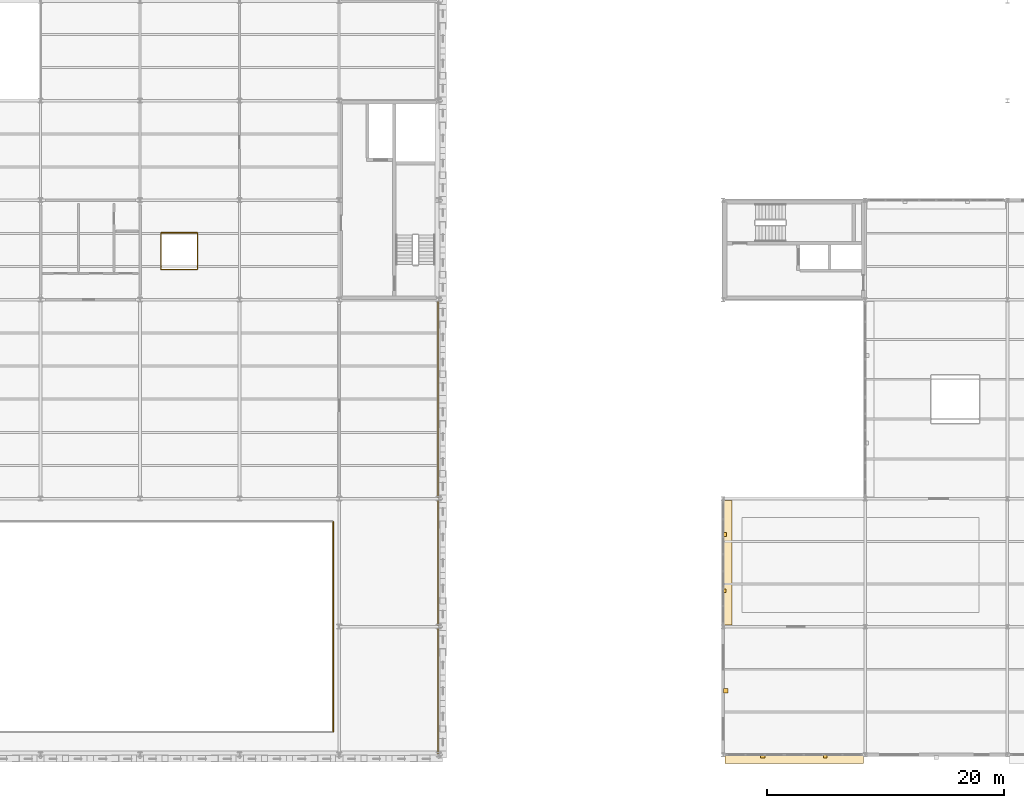
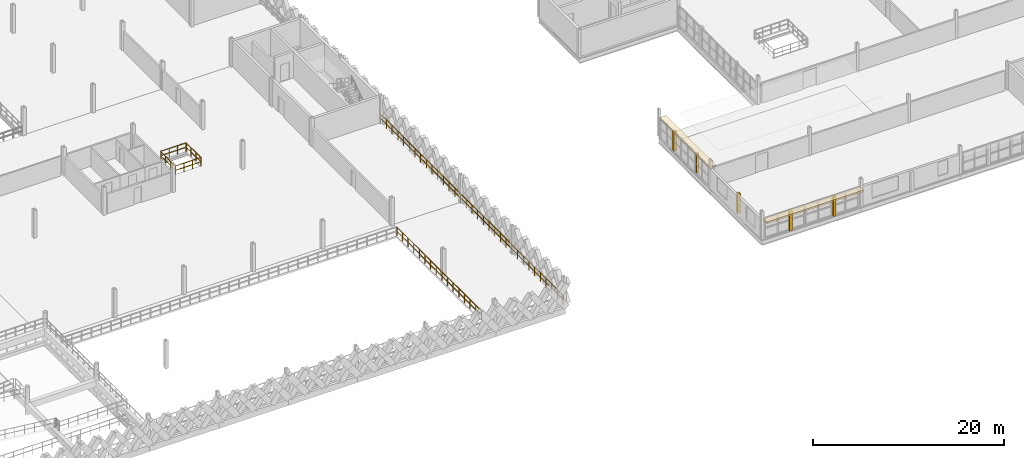
# One storey, part 72 of 79: 6 railings, 5 shading devices, 2 coverings.
"""IFC4 building model written with IfcOpenShell, lengths in metres."""

import ifcopenshell
import ifcopenshell.guid

model = None  # the IFC model being written
_history = None  # IfcOwnerHistory: only IFC2X3 demands one
_inside = {}  # id of a spatial element -> (the spatial element, [elements in it])
_under = {}  # id of a project, library or spatial element -> (it, [spatial elements below it])
_declared = {}  # id of a project -> (the project, [libraries it declares])
_typed = {}  # id of a type object -> (the type object, [elements of that type])
_made_of = {}  # id of a material, layer set ... -> (it, [elements and type objects made of it])


def new_model(schema):
    """Start an empty IFC model of exactly this schema.

    Asked for "IFC4X3", IfcOpenShell would pick the latest addendum, in which some entities
    have other attributes; the version numbers below select the first issue.
    IFC2X3 requires an IfcOwnerHistory on every rooted entity: one is made here for all.
    """
    global model, _history
    if schema == "IFC4X3":
        model = ifcopenshell.file(schema_version=(4, 3, 0, 0))
    else:
        model = ifcopenshell.file(schema=schema)
    _inside.clear()
    _under.clear()
    _declared.clear()
    _typed.clear()
    _made_of.clear()
    _history = None
    if model.schema == "IFC2X3":
        org = make("IfcOrganization", Name="unknown")
        user = make(
            "IfcPersonAndOrganization",
            ThePerson=make("IfcPerson", FamilyName="unknown"),
            TheOrganization=org,
        )
        app = make(
            "IfcApplication",
            ApplicationDeveloper=org,
            Version="unknown",
            ApplicationFullName="unknown",
            ApplicationIdentifier="unknown",
        )
        _history = make(
            "IfcOwnerHistory",
            OwningUser=user,
            OwningApplication=app,
            ChangeAction="ADDED",
            CreationDate=0,
        )
    return model


def make(cls, **values):
    """One entity of the class cls with the attributes given. An attribute that is None is left unset."""
    return model.create_entity(
        cls, **{name: value for name, value in values.items() if value is not None}
    )


def rooted(cls, **values):
    """An entity with a GlobalId (a new one), such as an element, a storey or a relation."""
    return make(cls, GlobalId=ifcopenshell.guid.new(), OwnerHistory=_history, **values)


def si_unit(unit_type, name, prefix=None):
    """IfcSIUnit, for example si_unit("LENGTHUNIT", "METRE", prefix="MILLI")."""
    return make("IfcSIUnit", UnitType=unit_type, Prefix=prefix, Name=name)


def assignment(units):
    """IfcUnitAssignment: the units of a project."""
    return None if units is None else make("IfcUnitAssignment", Units=units)


def point(xyz):
    """IfcCartesianPoint."""
    return None if xyz is None else make("IfcCartesianPoint", Coordinates=xyz)


def direction(xyz):
    """IfcDirection."""
    return None if xyz is None else make("IfcDirection", DirectionRatios=xyz)


def frame(location, z_axis=None, x_axis=None):
    """IfcAxis2Placement3D, a coordinate frame: its origin and axes. An axis left out is left unset."""
    return make(
        "IfcAxis2Placement3D",
        Location=point(location),
        Axis=direction(z_axis),
        RefDirection=direction(x_axis),
    )


def frame_2d(location, x_axis=None):
    """IfcAxis2Placement2D, a coordinate frame in the plane: its origin and x axis."""
    return make(
        "IfcAxis2Placement2D", Location=point(location), RefDirection=direction(x_axis)
    )


def origin():
    """The frame at (0, 0, 0) with its axes left unset."""
    return frame((0.0, 0.0, 0.0))


def origin_2d():
    """The frame at (0, 0) in the plane with its x axis left unset."""
    return frame_2d((0.0, 0.0))


def place(relative_to, where):
    """IfcLocalPlacement: puts the frame where relative to a parent placement (None: the world)."""
    return make(
        "IfcLocalPlacement", PlacementRelTo=relative_to, RelativePlacement=where
    )


def context(
    kind, dimensions, precision=None, world=None, true_north=None, identifier=None
):
    """IfcGeometricRepresentationContext, for example the 3D "Model" context."""
    return make(
        "IfcGeometricRepresentationContext",
        ContextIdentifier=identifier,
        ContextType=kind,
        CoordinateSpaceDimension=dimensions,
        Precision=precision,
        WorldCoordinateSystem=world,
        TrueNorth=true_north,
    )


def subcontext(parent, identifier, kind, view, scale=None):
    """IfcGeometricRepresentationSubContext, for example "Body" below "Model"."""
    return make(
        "IfcGeometricRepresentationSubContext",
        ContextIdentifier=identifier,
        ContextType=kind,
        ParentContext=parent,
        TargetScale=scale,
        TargetView=view,
    )


def project(units=None, contexts=None):
    """IfcProject with its units and contexts."""
    return rooted(
        "IfcProject",
        Name="project",
        RepresentationContexts=contexts,
        UnitsInContext=assignment(units),
    )


def spatial(cls, under=None, at=None, **own):
    """A site, building, storey or space (cls), placed at a placement, below another one or the project."""
    s = rooted(cls, ObjectPlacement=at, **own)
    if under is not None:
        _under.setdefault(under.id(), (under, []))[1].append(s)
    return s


def profile(cls, at=None, kind="AREA", **sizes):
    """A parametric profile (cls). Its sizes go by their IFC names, for example OverallWidth=200.0."""
    return make(cls, ProfileType=kind, Position=at, **sizes)


def rectangle(**sizes):
    """IfcRectangleProfileDef."""
    return profile("IfcRectangleProfileDef", **sizes)


def circle(**sizes):
    """IfcCircleProfileDef."""
    return profile("IfcCircleProfileDef", **sizes)


def extrude(swept, where, along, depth):
    """IfcExtrudedAreaSolid: the profile swept, set in the frame where, extruded along a direction by depth."""
    return make(
        "IfcExtrudedAreaSolid",
        SweptArea=swept,
        Position=where,
        ExtrudedDirection=direction(along),
        Depth=depth,
    )


def shape(context_of_items, identifier, shape_type, items):
    """IfcShapeRepresentation: the items that make up one representation, for example the "Body"."""
    return make(
        "IfcShapeRepresentation",
        ContextOfItems=context_of_items,
        RepresentationIdentifier=identifier,
        RepresentationType=shape_type,
        Items=items,
    )


def material(Name=None, Category=None):
    """IfcMaterial."""
    return make("IfcMaterial", Name=Name, Category=Category)


def layer(
    of_material, thickness, ventilated=None, Name=None, Category=None, Priority=None
):
    """IfcMaterialLayer: one layer of a wall or slab, of a material (None: an air gap)."""
    return make(
        "IfcMaterialLayer",
        Material=of_material,
        LayerThickness=thickness,
        IsVentilated=ventilated,
        Name=Name,
        Category=Category,
        Priority=Priority,
    )


def layer_set(layers, Name=None):
    """IfcMaterialLayerSet."""
    return make("IfcMaterialLayerSet", MaterialLayers=layers, LayerSetName=Name)


def material_profile(
    of_material, cross_section, Name=None, Category=None, Priority=None
):
    """IfcMaterialProfile: a cross section and its material."""
    return make(
        "IfcMaterialProfile",
        Name=Name,
        Material=of_material,
        Profile=cross_section,
        Priority=Priority,
        Category=Category,
    )


def profile_set(profiles, Name=None, composite=None):
    """IfcMaterialProfileSet."""
    return make(
        "IfcMaterialProfileSet",
        Name=Name,
        MaterialProfiles=profiles,
        CompositeProfile=composite,
    )


def made_of(thing, what):
    """Note that an element or type object is made of a material, layer set ...; save() writes the relation."""
    if what is not None:
        _made_of.setdefault(what.id(), (what, []))[1].append(thing)
    return thing


def type_object(cls, material=None, **own):
    """A type object (cls), such as IfcWallType, which elements share."""
    return made_of(rooted(cls, **own), material)


def element(
    cls,
    number,
    at=None,
    inside=None,
    cuts=None,
    type_object=None,
    material=None,
    context=None,
    identifier="Body",
    shape_type=None,
    held_by="IfcProductDefinitionShape",
    body=None,
    shapes=None,
    **own,
):
    """One element of the class cls, such as IfcWall. Its Tag is "e" and its number.

    at: its placement. inside: the storey or other place that contains it. cuts: it is an
    opening in that element (IfcRelVoidsElement). A single representation is given by context,
    identifier, shape_type and body (its items); several are given by shapes. held_by: the class
    of the entity that holds the representations. save() writes the other relations.
    """
    e = rooted(cls, Tag="e%d" % number, ObjectPlacement=at, **own)
    if body is not None:
        shapes = [shape(context, identifier, shape_type, body)]
    if shapes is not None:
        e.Representation = make(held_by, Representations=shapes)
    if inside is not None:
        _inside.setdefault(inside.id(), (inside, []))[1].append(e)
    if cuts is not None:
        rooted(
            "IfcRelVoidsElement", RelatingBuildingElement=cuts, RelatedOpeningElement=e
        )
    if type_object is not None:
        _typed.setdefault(type_object.id(), (type_object, []))[1].append(e)
    return made_of(e, material)


def aggregate(whole, parts):
    """IfcRelAggregates: a whole, such as a stair, and the parts it consists of."""
    return rooted("IfcRelAggregates", RelatingObject=whole, RelatedObjects=parts)


def save(model, path):
    """Write the relations noted so far, then the file.

    IfcRelAggregates (storeys below a building ...), IfcRelContainedInSpatialStructure (elements
    in a storey), IfcRelDefinesByType, IfcRelAssociatesMaterial and IfcRelDeclares: one each for
    every whole, place, type object, material and project.
    """
    for whole, parts in _under.values():
        aggregate(whole, parts)
    for where, things in _inside.values():
        rooted(
            "IfcRelContainedInSpatialStructure",
            RelatedElements=things,
            RelatingStructure=where,
        )
    for kind, things in _typed.values():
        rooted("IfcRelDefinesByType", RelatedObjects=things, RelatingType=kind)
    for what, things in _made_of.values():
        rooted("IfcRelAssociatesMaterial", RelatedObjects=things, RelatingMaterial=what)
    for by, libraries in _declared.values():
        rooted("IfcRelDeclares", RelatingContext=by, RelatedDefinitions=libraries)
    model.write(path)


model = new_model("IFC4")

# Units and contexts
model_context = context("Model", 3, precision=1e-05, world=origin(), true_north=direction((0.0, 1.0)))
body_context = subcontext(model_context, "Body", "Model", "MODEL_VIEW")
ifc_project = project(units=[si_unit("LENGTHUNIT", "METRE"), si_unit("AREAUNIT", "SQUARE_METRE"), si_unit("VOLUMEUNIT", "CUBIC_METRE"), si_unit("PLANEANGLEUNIT", "RADIAN"), si_unit("MASSUNIT", "GRAM", prefix="KILO"), si_unit("THERMODYNAMICTEMPERATUREUNIT", "KELVIN"), si_unit("POWERUNIT", "WATT")], contexts=[model_context])

# Site, building, storey
site_placement = place(None, origin())
site = spatial("IfcSite", under=ifc_project, at=site_placement, CompositionType="ELEMENT")
building_placement = place(site_placement, origin())
building = spatial("IfcBuilding", under=site, at=building_placement, Name="Tembeka Court Mobility Hub", CompositionType="ELEMENT")
storey_placement = place(building_placement, frame((0.0, 0.0, 9.0)))
storey = spatial("IfcBuildingStorey", under=building, at=storey_placement, Name="L02", CompositionType="ELEMENT", Elevation=9.0)

# Coverings
ifc_material_1 = material(Name="Dressed ochre Nairobi volcanic-tuff cladding", Category="masonry")
ifc_layer = layer(ifc_material_1, 0.0400390625)
ifc_layer_set = layer_set([ifc_layer], Name="Dressed ochre Nairobi volcanic-tuff cladding")
covering_type = type_object("IfcCoveringType", Name="COV-CD01", PredefinedType="CLADDING", material=ifc_layer_set)
covering_1_placement = place(storey_placement, frame((122.39990234375, -0.360107421875, 2.30517578125), z_axis=(0.0, 0.0, 1.0), x_axis=(1.0, 0.0, 0.0)))
element("IfcCovering", 1, at=covering_1_placement, inside=storey, type_object=covering_type, Name="Projecting volcanic-tuff solar hood CVD1-H015", PredefinedType="CLADDING", context=body_context, shape_type="SweptSolid", body=[
    extrude(rectangle(XDim=11.699951171875, YDim=0.800048828125, at=origin_2d()), origin(), (0.0, 0.0, 1.0), 0.219970703125),
])
covering_2_placement = place(storey_placement, frame((116.760009765625, 16.199951171875, 2.30517578125), z_axis=(0.0, 0.0, 1.0), x_axis=(0.0, 1.0, 0.0)))
element("IfcCovering", 2, at=covering_2_placement, inside=storey, type_object=covering_type, Name="Projecting volcanic-tuff solar hood CVD1-H024", PredefinedType="CLADDING", context=body_context, shape_type="SweptSolid", body=[
    extrude(rectangle(XDim=10.5, YDim=0.800048828125, at=origin_2d()), origin(), (0.0, 0.0, 1.0), 0.219970703125),
])

# Railings
ifc_material_2 = material(Name="Painted galvanised steel balustrade", Category="steel")
railing_type_1 = type_object("IfcRailingType", Name="RL-GR01", PredefinedType="GUARDRAIL", material=ifc_material_2)
railing_1_placement = place(storey_placement, frame((68.97998046875, 40.949951171875, 0.0)))
element("IfcRailing", 3, at=railing_1_placement, inside=storey, type_object=railing_type_1, Name="Perimeter guard GR01-0079", PredefinedType="GUARDRAIL", context=body_context, shape_type="SweptSolid", body=[
    extrude(circle(Radius=0.02392578125, at=origin_2d()), frame((0.0, 0.0, 1.09619140625), z_axis=(1.0, 0.0, 0.0), x_axis=(0.0, 1.0, 0.0)), (0.0, 0.0, 1.0), 3.0400390625),
    extrude(circle(Radius=0.02392578125, at=origin_2d()), frame((0.0, 0.0, 0.5361328125), z_axis=(1.0, 0.0, 0.0), x_axis=(0.0, 1.0, 0.0)), (0.0, 0.0, 1.0), 3.0400390625),
    extrude(circle(Radius=0.02099609375, at=origin_2d()), origin(), (0.0, 0.0, 1.0), 1.072021484375),
    extrude(circle(Radius=0.02099609375, at=origin_2d()), frame((1.013427734375, 0.0, 0.0)), (0.0, 0.0, 1.0), 1.072021484375),
    extrude(circle(Radius=0.02099609375, at=origin_2d()), frame((2.026611328125, 0.0, 0.0)), (0.0, 0.0, 1.0), 1.072021484375),
    extrude(circle(Radius=0.02099609375, at=origin_2d()), frame((3.0400390625, 0.0, 0.0)), (0.0, 0.0, 1.0), 1.072021484375),
])
railing_2_placement = place(storey_placement, frame((72.050048828125, 40.97998046875, 0.0)))
element("IfcRailing", 4, at=railing_2_placement, inside=storey, type_object=railing_type_1, Name="Perimeter guard GR01-0080", PredefinedType="GUARDRAIL", context=body_context, shape_type="SweptSolid", body=[
    extrude(circle(Radius=0.02392578125, at=origin_2d()), frame((0.0, 0.0, 1.09619140625), z_axis=(0.0, 1.0, 0.0), x_axis=(-1.0, 0.0, 0.0)), (0.0, 0.0, 1.0), 3.0400390625),
    extrude(circle(Radius=0.02392578125, at=origin_2d()), frame((0.0, 0.0, 0.5361328125), z_axis=(0.0, 1.0, 0.0), x_axis=(-1.0, 0.0, 0.0)), (0.0, 0.0, 1.0), 3.0400390625),
    extrude(circle(Radius=0.02099609375, at=origin_2d()), origin(), (0.0, 0.0, 1.0), 1.072021484375),
    extrude(circle(Radius=0.02099609375, at=origin_2d()), frame((0.0, 1.013427734375, 0.0)), (0.0, 0.0, 1.0), 1.072021484375),
    extrude(circle(Radius=0.02099609375, at=origin_2d()), frame((0.0, 2.026611328125, 0.0)), (0.0, 0.0, 1.0), 1.072021484375),
    extrude(circle(Radius=0.02099609375, at=origin_2d()), frame((0.0, 3.0400390625, 0.0)), (0.0, 0.0, 1.0), 1.072021484375),
])
railing_3_placement = place(storey_placement, frame((72.02001953125, 44.050048828125, 0.0)))
element("IfcRailing", 5, at=railing_3_placement, inside=storey, type_object=railing_type_1, Name="Perimeter guard GR01-0081", PredefinedType="GUARDRAIL", context=body_context, shape_type="SweptSolid", body=[
    extrude(circle(Radius=0.02392578125, at=origin_2d()), frame((0.0, 0.0, 1.09619140625), z_axis=(-1.0, 0.0, 0.0), x_axis=(0.0, -1.0, 0.0)), (0.0, 0.0, 1.0), 3.0400390625),
    extrude(circle(Radius=0.02392578125, at=origin_2d()), frame((0.0, 0.0, 0.5361328125), z_axis=(-1.0, 0.0, 0.0), x_axis=(0.0, -1.0, 0.0)), (0.0, 0.0, 1.0), 3.0400390625),
    extrude(circle(Radius=0.02099609375, at=origin_2d()), origin(), (0.0, 0.0, 1.0), 1.072021484375),
    extrude(circle(Radius=0.02099609375, at=origin_2d()), frame((-1.013427734375, 0.0, 0.0)), (0.0, 0.0, 1.0), 1.072021484375),
    extrude(circle(Radius=0.02099609375, at=origin_2d()), frame((-2.026611328125, 0.0, 0.0)), (0.0, 0.0, 1.0), 1.072021484375),
    extrude(circle(Radius=0.02099609375, at=origin_2d()), frame((-3.0400390625, 0.0, 0.0)), (0.0, 0.0, 1.0), 1.072021484375),
])
railing_4_placement = place(storey_placement, frame((68.949951171875, 44.02001953125, 0.0)))
element("IfcRailing", 6, at=railing_4_placement, inside=storey, type_object=railing_type_1, Name="Perimeter guard GR01-0082", PredefinedType="GUARDRAIL", context=body_context, shape_type="SweptSolid", body=[
    extrude(circle(Radius=0.02392578125, at=origin_2d()), frame((0.0, 0.0, 1.09619140625), z_axis=(0.0, -1.0, 0.0), x_axis=(1.0, 0.0, 0.0)), (0.0, 0.0, 1.0), 3.0400390625),
    extrude(circle(Radius=0.02392578125, at=origin_2d()), frame((0.0, 0.0, 0.5361328125), z_axis=(0.0, -1.0, 0.0), x_axis=(1.0, 0.0, 0.0)), (0.0, 0.0, 1.0), 3.0400390625),
    extrude(circle(Radius=0.02099609375, at=origin_2d()), origin(), (0.0, 0.0, 1.0), 1.072021484375),
    extrude(circle(Radius=0.02099609375, at=origin_2d()), frame((0.0, -1.013427734375, 0.0)), (0.0, 0.0, 1.0), 1.072021484375),
    extrude(circle(Radius=0.02099609375, at=origin_2d()), frame((0.0, -2.026611328125, 0.0)), (0.0, 0.0, 1.0), 1.072021484375),
    extrude(circle(Radius=0.02099609375, at=origin_2d()), frame((0.0, -3.0400390625, 0.0)), (0.0, 0.0, 1.0), 1.072021484375),
])
railing_5_placement = place(storey_placement, frame((83.5, 1.929931640625, 0.0)))
element("IfcRailing", 7, at=railing_5_placement, inside=storey, type_object=railing_type_1, Name="Perimeter guard GR01-0084", PredefinedType="GUARDRAIL", context=body_context, shape_type="SweptSolid", body=[
    extrude(circle(Radius=0.02392578125, at=origin_2d()), frame((0.0, 0.0, 1.09619140625), z_axis=(0.0, 1.0, 0.0), x_axis=(-1.0, 0.0, 0.0)), (0.0, 0.0, 1.0), 17.739990234375),
    extrude(circle(Radius=0.02392578125, at=origin_2d()), frame((0.0, 0.0, 0.5361328125), z_axis=(0.0, 1.0, 0.0), x_axis=(-1.0, 0.0, 0.0)), (0.0, 0.0, 1.0), 17.739990234375),
    extrude(circle(Radius=0.02099609375, at=origin_2d()), origin(), (0.0, 0.0, 1.0), 1.072021484375),
    extrude(circle(Radius=0.02099609375, at=origin_2d()), frame((0.0, 1.1826171875, 0.0)), (0.0, 0.0, 1.0), 1.072021484375),
    extrude(circle(Radius=0.02099609375, at=origin_2d()), frame((0.0, 2.365234375, 0.0)), (0.0, 0.0, 1.0), 1.072021484375),
    extrude(circle(Radius=0.02099609375, at=origin_2d()), frame((0.0, 3.548095703125, 0.0)), (0.0, 0.0, 1.0), 1.072021484375),
    extrude(circle(Radius=0.02099609375, at=origin_2d()), frame((0.0, 4.730712890625, 0.0)), (0.0, 0.0, 1.0), 1.072021484375),
    extrude(circle(Radius=0.02099609375, at=origin_2d()), frame((0.0, 5.913330078125, 0.0)), (0.0, 0.0, 1.0), 1.072021484375),
    extrude(circle(Radius=0.02099609375, at=origin_2d()), frame((0.0, 7.095947265625, 0.0)), (0.0, 0.0, 1.0), 1.072021484375),
    extrude(circle(Radius=0.02099609375, at=origin_2d()), frame((0.0, 8.278564453125, 0.0)), (0.0, 0.0, 1.0), 1.072021484375),
    extrude(circle(Radius=0.02099609375, at=origin_2d()), frame((0.0, 9.46142578125, 0.0)), (0.0, 0.0, 1.0), 1.072021484375),
    extrude(circle(Radius=0.02099609375, at=origin_2d()), frame((0.0, 10.64404296875, 0.0)), (0.0, 0.0, 1.0), 1.072021484375),
    extrude(circle(Radius=0.02099609375, at=origin_2d()), frame((0.0, 11.82666015625, 0.0)), (0.0, 0.0, 1.0), 1.072021484375),
    extrude(circle(Radius=0.02099609375, at=origin_2d()), frame((0.0, 13.00927734375, 0.0)), (0.0, 0.0, 1.0), 1.072021484375),
    extrude(circle(Radius=0.02099609375, at=origin_2d()), frame((0.0, 14.19189453125, 0.0)), (0.0, 0.0, 1.0), 1.072021484375),
    extrude(circle(Radius=0.02099609375, at=origin_2d()), frame((0.0, 15.374755859375, 0.0)), (0.0, 0.0, 1.0), 1.072021484375),
    extrude(circle(Radius=0.02099609375, at=origin_2d()), frame((0.0, 16.557373046875, 0.0)), (0.0, 0.0, 1.0), 1.072021484375),
    extrude(circle(Radius=0.02099609375, at=origin_2d()), frame((0.0, 17.739990234375, 0.0)), (0.0, 0.0, 1.0), 1.072021484375),
])
railing_type_2 = type_object("IfcRailingType", Name="RL-GR02", PredefinedType="GUARDRAIL", material=ifc_material_2)
railing_6_placement = place(storey_placement, frame((92.35009765625, 0.080078125, 0.0)))
element("IfcRailing", 8, at=railing_6_placement, inside=storey, type_object=railing_type_2, Name="Perimeter guard GR02-0096", PredefinedType="GUARDRAIL", context=body_context, shape_type="SweptSolid", body=[
    extrude(circle(Radius=0.02392578125, at=origin_2d()), frame((0.0, 0.0, 1.09619140625), z_axis=(0.0, 1.0, 0.0), x_axis=(-1.0, 0.0, 0.0)), (0.0, 0.0, 1.0), 38.2900390625),
    extrude(circle(Radius=0.02392578125, at=origin_2d()), frame((0.0, 0.0, 0.5361328125), z_axis=(0.0, 1.0, 0.0), x_axis=(-1.0, 0.0, 0.0)), (0.0, 0.0, 1.0), 38.2900390625),
    extrude(circle(Radius=0.02099609375, at=origin_2d()), origin(), (0.0, 0.0, 1.0), 1.072021484375),
    extrude(circle(Radius=0.02099609375, at=origin_2d()), frame((0.0, 1.196533203125, 0.0)), (0.0, 0.0, 1.0), 1.072021484375),
    extrude(circle(Radius=0.02099609375, at=origin_2d()), frame((0.0, 2.39306640625, 0.0)), (0.0, 0.0, 1.0), 1.072021484375),
    extrude(circle(Radius=0.02099609375, at=origin_2d()), frame((0.0, 3.589599609375, 0.0)), (0.0, 0.0, 1.0), 1.072021484375),
    extrude(circle(Radius=0.02099609375, at=origin_2d()), frame((0.0, 4.7861328125, 0.0)), (0.0, 0.0, 1.0), 1.072021484375),
    extrude(circle(Radius=0.02099609375, at=origin_2d()), frame((0.0, 5.98291015625, 0.0)), (0.0, 0.0, 1.0), 1.072021484375),
    extrude(circle(Radius=0.02099609375, at=origin_2d()), frame((0.0, 7.179443359375, 0.0)), (0.0, 0.0, 1.0), 1.072021484375),
    extrude(circle(Radius=0.02099609375, at=origin_2d()), frame((0.0, 8.3759765625, 0.0)), (0.0, 0.0, 1.0), 1.072021484375),
    extrude(circle(Radius=0.02099609375, at=origin_2d()), frame((0.0, 9.572509765625, 0.0)), (0.0, 0.0, 1.0), 1.072021484375),
    extrude(circle(Radius=0.02099609375, at=origin_2d()), frame((0.0, 10.76904296875, 0.0)), (0.0, 0.0, 1.0), 1.072021484375),
    extrude(circle(Radius=0.02099609375, at=origin_2d()), frame((0.0, 11.965576171875, 0.0)), (0.0, 0.0, 1.0), 1.072021484375),
    extrude(circle(Radius=0.02099609375, at=origin_2d()), frame((0.0, 13.162109375, 0.0)), (0.0, 0.0, 1.0), 1.072021484375),
    extrude(circle(Radius=0.02099609375, at=origin_2d()), frame((0.0, 14.35888671875, 0.0)), (0.0, 0.0, 1.0), 1.072021484375),
    extrude(circle(Radius=0.02099609375, at=origin_2d()), frame((0.0, 15.555419921875, 0.0)), (0.0, 0.0, 1.0), 1.072021484375),
    extrude(circle(Radius=0.02099609375, at=origin_2d()), frame((0.0, 16.751953125, 0.0)), (0.0, 0.0, 1.0), 1.072021484375),
    extrude(circle(Radius=0.02099609375, at=origin_2d()), frame((0.0, 17.948486328125, 0.0)), (0.0, 0.0, 1.0), 1.072021484375),
    extrude(circle(Radius=0.02099609375, at=origin_2d()), frame((0.0, 19.14501953125, 0.0)), (0.0, 0.0, 1.0), 1.072021484375),
    extrude(circle(Radius=0.02099609375, at=origin_2d()), frame((0.0, 20.341552734375, 0.0)), (0.0, 0.0, 1.0), 1.072021484375),
    extrude(circle(Radius=0.02099609375, at=origin_2d()), frame((0.0, 21.5380859375, 0.0)), (0.0, 0.0, 1.0), 1.072021484375),
    extrude(circle(Radius=0.02099609375, at=origin_2d()), frame((0.0, 22.734619140625, 0.0)), (0.0, 0.0, 1.0), 1.072021484375),
    extrude(circle(Radius=0.02099609375, at=origin_2d()), frame((0.0, 23.93115234375, 0.0)), (0.0, 0.0, 1.0), 1.072021484375),
    extrude(circle(Radius=0.02099609375, at=origin_2d()), frame((0.0, 25.1279296875, 0.0)), (0.0, 0.0, 1.0), 1.072021484375),
    extrude(circle(Radius=0.02099609375, at=origin_2d()), frame((0.0, 26.324462890625, 0.0)), (0.0, 0.0, 1.0), 1.072021484375),
    extrude(circle(Radius=0.02099609375, at=origin_2d()), frame((0.0, 27.52099609375, 0.0)), (0.0, 0.0, 1.0), 1.072021484375),
    extrude(circle(Radius=0.02099609375, at=origin_2d()), frame((0.0, 28.717529296875, 0.0)), (0.0, 0.0, 1.0), 1.072021484375),
    extrude(circle(Radius=0.02099609375, at=origin_2d()), frame((0.0, 29.9140625, 0.0)), (0.0, 0.0, 1.0), 1.072021484375),
    extrude(circle(Radius=0.02099609375, at=origin_2d()), frame((0.0, 31.110595703125, 0.0)), (0.0, 0.0, 1.0), 1.072021484375),
    extrude(circle(Radius=0.02099609375, at=origin_2d()), frame((0.0, 32.30712890625, 0.0)), (0.0, 0.0, 1.0), 1.072021484375),
    extrude(circle(Radius=0.02099609375, at=origin_2d()), frame((0.0, 33.50390625, 0.0)), (0.0, 0.0, 1.0), 1.072021484375),
    extrude(circle(Radius=0.02099609375, at=origin_2d()), frame((0.0, 34.700439453125, 0.0)), (0.0, 0.0, 1.0), 1.072021484375),
    extrude(circle(Radius=0.02099609375, at=origin_2d()), frame((0.0, 35.89697265625, 0.0)), (0.0, 0.0, 1.0), 1.072021484375),
    extrude(circle(Radius=0.02099609375, at=origin_2d()), frame((0.0, 37.093505859375, 0.0)), (0.0, 0.0, 1.0), 1.072021484375),
    extrude(circle(Radius=0.02099609375, at=origin_2d()), frame((0.0, 38.2900390625, 0.0)), (0.0, 0.0, 1.0), 1.072021484375),
])

# Shading devices
ifc_material_3 = material(Name="Bronze-anodised aluminium 6063-T6", Category="aluminium")
ifc_material_profile_1 = material_profile(ifc_material_3, rectangle(XDim=0.360107421875, YDim=0.360107421875, at=origin_2d()), Name="ALU-FIN 360x360")
ifc_profile_set_1 = profile_set([ifc_material_profile_1], Name="Bronze-anodised aluminium 6063-T6")
shading_device_type_1 = type_object("IfcShadingDeviceType", Name="SHD-FN01", PredefinedType="JALOUSIE", material=ifc_profile_set_1)
shading_device_1_placement = place(storey_placement, frame((119.760009765625, -0.1201171875, 0.0), z_axis=(0.0, 0.0, 1.0), x_axis=(1.0, 0.0, 0.0)))
element("IfcShadingDevice", 9, at=shading_device_1_placement, inside=storey, type_object=shading_device_type_1, Name="Equatorial solar shading fin FN01-028", PredefinedType="JALOUSIE", context=body_context, shape_type="SweptSolid", body=[
    extrude(rectangle(XDim=0.360107421875, YDim=0.360107421875, at=origin_2d()), origin(), (0.0, 0.0, 1.0), 2.514892578125),
])
shading_device_2_placement = place(storey_placement, frame((116.639892578125, 5.39990234375, 0.0), z_axis=(0.0, 0.0, 1.0), x_axis=(1.0, 0.0, 0.0)))
element("IfcShadingDevice", 10, at=shading_device_2_placement, inside=storey, type_object=shading_device_type_1, Name="Equatorial solar shading fin FN01-052", PredefinedType="JALOUSIE", context=body_context, shape_type="SweptSolid", body=[
    extrude(rectangle(XDim=0.360107421875, YDim=0.360107421875, at=origin_2d()), origin(), (0.0, 0.0, 1.0), 2.485107421875),
])
shading_device_3_placement = place(storey_placement, frame((116.52001953125, 18.575927734375, 0.0), z_axis=(0.0, 0.0, 1.0), x_axis=(1.0, 0.0, 0.0)))
element("IfcShadingDevice", 11, at=shading_device_3_placement, inside=storey, type_object=shading_device_type_1, Name="Equatorial solar shading fin FN01-054", PredefinedType="JALOUSIE", context=body_context, shape_type="SweptSolid", body=[
    extrude(rectangle(XDim=0.360107421875, YDim=0.360107421875, at=origin_2d()), origin(), (0.0, 0.0, 1.0), 2.514892578125),
])
ifc_material_profile_2 = material_profile(ifc_material_3, rectangle(XDim=0.300048828125, YDim=0.300048828125, at=origin_2d()), Name="ALU-LVR 300x300")
ifc_profile_set_2 = profile_set([ifc_material_profile_2], Name="Bronze-anodised aluminium 6063-T6")
shading_device_type_2 = type_object("IfcShadingDeviceType", Name="SHD-LV01", PredefinedType="SHUTTER", material=ifc_profile_set_2)
for number, where, z_axis, x_axis, name in (
    (12, (125.0400390625, -0.1201171875, 0.0), (0.0, 0.0, 1.0), (1.0, 0.0, 0.0), "Equatorial solar shading fin LV01-029"),
    (13, (116.52001953125, 13.823974609375, 0.0), (0.0, 0.0, 1.0), (1.0, 0.0, 0.0), "Equatorial solar shading fin LV01-053"),
):
    element("IfcShadingDevice", number, at=place(storey_placement, frame(where, z_axis=z_axis, x_axis=x_axis)), inside=storey, type_object=shading_device_type_2, Name=name, PredefinedType="SHUTTER", context=body_context, shape_type="SweptSolid", body=[
        extrude(rectangle(XDim=0.300048828125, YDim=0.300048828125, at=origin_2d()), origin(), (0.0, 0.0, 1.0), 2.514892578125),
    ])

save(model, "model.ifc")
